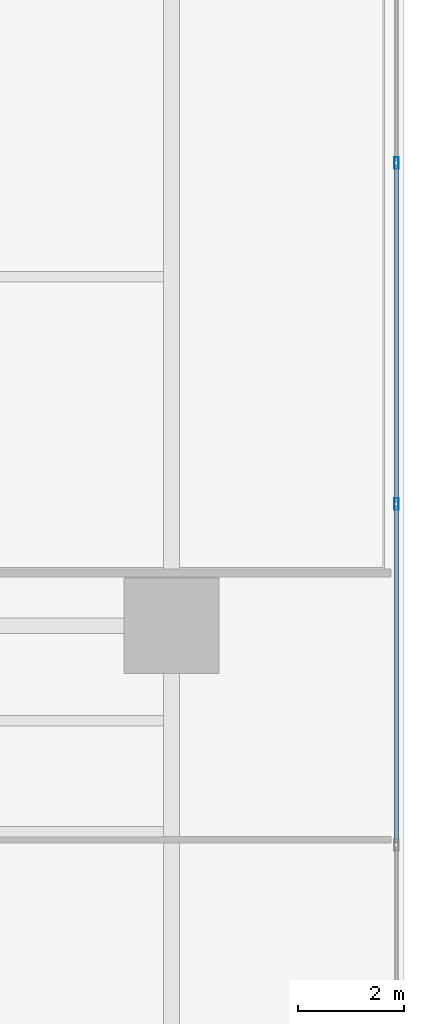
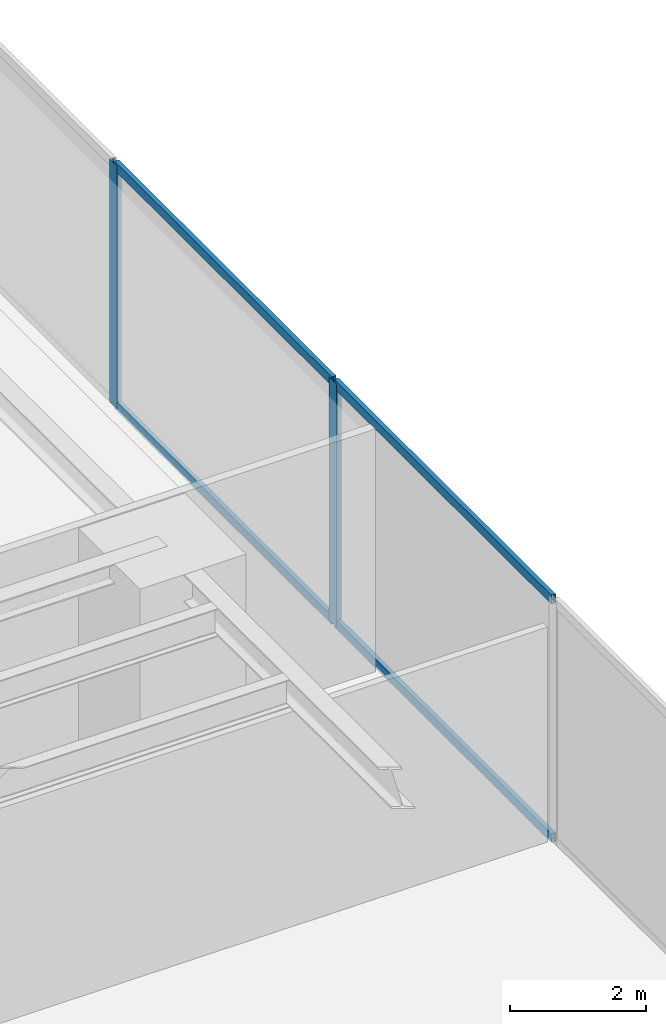
# One storey, part 9 of 18: 6 members, 1 element without a shape of its own.
"""IFC4 building model written with IfcOpenShell, lengths in metres."""

from ifc_helpers import new_model, si_unit, direction, frame, origin, origin_with_axes, origin_2d, place, context, subcontext, project, spatial, hollow_rectangle, extrude, source, transform, mapped, material, layer, layer_set, material_profile, profile_set, type_object, element, aggregate, save


model = new_model("IFC4")

# Units and contexts
model_context = context("Model", 3, precision=1e-05, world=origin(), true_north=direction((0.0, 1.0)))
body_context = subcontext(model_context, "Body", "Model", "MODEL_VIEW")
ifc_project = project(units=[si_unit("LENGTHUNIT", "METRE"), si_unit("AREAUNIT", "SQUARE_METRE"), si_unit("VOLUMEUNIT", "CUBIC_METRE"), si_unit("PLANEANGLEUNIT", "RADIAN"), si_unit("MASSUNIT", "GRAM", prefix="KILO")], contexts=[model_context])

# Site, building, storey
site_placement = place(None, origin())
site = spatial("IfcSite", under=ifc_project, at=site_placement, CompositionType="ELEMENT")
building_placement = place(site_placement, origin())
building = spatial("IfcBuilding", under=site, at=building_placement, Name="Kolvaren Waterfront Exchange", CompositionType="ELEMENT")
storey_placement = place(building_placement, frame((0.0, 0.0, 24.800048828125)))
storey = spatial("IfcBuildingStorey", under=building, at=storey_placement, Name="L06", CompositionType="ELEMENT", Elevation=24.800048828125)

# Curtain wall, members
ifc_material_1 = material(Name="Anodised bronze aluminium 6063-T6", Category="aluminium")
ifc_layer = layer(ifc_material_1, 0.219970703125, Name="Anodised bronze aluminium 6063-T6")
ifc_layer_set = layer_set([ifc_layer], Name="Anodised bronze aluminium 6063-T6")
curtain_wall_type = type_object("IfcCurtainWallType", Name="ARC-CW-SYS4", PredefinedType="USERDEFINED", material=ifc_layer_set)
curtain_wall_placement = place(storey_placement, origin())
curtain_wall = element("IfcCurtainWall", 1, at=curtain_wall_placement, inside=storey, type_object=curtain_wall_type, Name="L06 stick curtain wall CW4 (CW-L06-E1)", ObjectType="STICK CURTAIN WALL", PredefinedType="USERDEFINED")
ifc_material_2 = material(Name="Anodised aluminium 6063-T6", Category="aluminium")
ifc_material_profile_1 = material_profile(ifc_material_2, hollow_rectangle(XDim=0.074951171875, YDim=0.159912109375, WallThickness=0.00439453125, at=origin_2d()), Name="ALU-TRN-160x75x4.5")
ifc_profile_set_1 = profile_set([ifc_material_profile_1], Name="Anodised aluminium 6063-T6")
member_type_1 = type_object("IfcMemberType", Name="ARC-CWT-160", PredefinedType="USERDEFINED", material=ifc_profile_set_1)
shared_shape_1 = source(origin_with_axes(), body_context, "Body", "SweptSolid", [
    extrude(hollow_rectangle(XDim=0.074951171875, YDim=0.159912109375, WallThickness=0.00439453125, at=origin_2d()), origin(), (0.0, 0.0, 1.0), 6.371826171875),
])
member_1_placement = place(storey_placement, frame((64.659912109375, 13.293212890625, 0.037353515625), z_axis=(0.0, 1.0, 0.0), x_axis=(-1.0, 0.0, 0.0)))
member_1 = element("IfcMember", 2, at=member_1_placement, type_object=member_type_1, Name="CW4 transom 3.1", ObjectType="TRANSOM", PredefinedType="USERDEFINED", context=body_context, shape_type="MappedRepresentation", body=[
    mapped(shared_shape_1, transform((0.0, 0.0, 0.0), x_axis=(1.0, 0.0, 0.0), y_axis=(0.0, 1.0, 0.0), z_axis=(0.0, 0.0, 1.0), scale=1.0)),
])
member_2_placement = place(storey_placement, frame((64.659912109375, 13.293212890625, 4.3125), z_axis=(0.0, 1.0, 0.0), x_axis=(-1.0, 0.0, 0.0)))
member_2 = element("IfcMember", 3, at=member_2_placement, type_object=member_type_1, Name="CW4 transom 3.2", ObjectType="TRANSOM", PredefinedType="USERDEFINED", context=body_context, shape_type="MappedRepresentation", body=[
    mapped(shared_shape_1, transform((0.0, 0.0, 0.0), x_axis=(1.0, 0.0, 0.0), y_axis=(0.0, 1.0, 0.0), z_axis=(0.0, 0.0, 1.0), scale=1.0)),
])
shared_shape_2 = source(origin_with_axes(), body_context, "Body", "SweptSolid", [
    extrude(hollow_rectangle(XDim=0.074951171875, YDim=0.159912109375, WallThickness=0.00439453125, at=origin_2d()), origin(), (0.0, 0.0, 1.0), 6.37158203125),
])
member_3_placement = place(storey_placement, frame((64.659912109375, 19.7451171875, 0.037353515625), z_axis=(0.0, 1.0, 0.0), x_axis=(-1.0, 0.0, 0.0)))
member_3 = element("IfcMember", 4, at=member_3_placement, type_object=member_type_1, Name="CW4 transom 4.1", ObjectType="TRANSOM", PredefinedType="USERDEFINED", context=body_context, shape_type="MappedRepresentation", body=[
    mapped(shared_shape_2, transform((0.0, 0.0, 0.0), x_axis=(1.0, 0.0, 0.0), y_axis=(0.0, 1.0, 0.0), z_axis=(0.0, 0.0, 1.0), scale=1.0)),
])
member_4_placement = place(storey_placement, frame((64.659912109375, 19.7451171875, 4.3125), z_axis=(0.0, 1.0, 0.0), x_axis=(-1.0, 0.0, 0.0)))
member_4 = element("IfcMember", 5, at=member_4_placement, type_object=member_type_1, Name="CW4 transom 4.2", ObjectType="TRANSOM", PredefinedType="USERDEFINED", context=body_context, shape_type="MappedRepresentation", body=[
    mapped(shared_shape_2, transform((0.0, 0.0, 0.0), x_axis=(1.0, 0.0, 0.0), y_axis=(0.0, 1.0, 0.0), z_axis=(0.0, 0.0, 1.0), scale=1.0)),
])
ifc_material_profile_2 = material_profile(ifc_material_2, hollow_rectangle(XDim=0.080078125, YDim=0.219970703125, WallThickness=0.0048828125, at=origin_2d()), Name="ALU-MUL-220x80x5")
ifc_profile_set_2 = profile_set([ifc_material_profile_2], Name="Anodised aluminium 6063-T6")
member_type_2 = type_object("IfcMemberType", Name="ARC-CWM-220", PredefinedType="MULLION", material=ifc_profile_set_2)
shared_shape_3 = source(origin_with_axes(), body_context, "Body", "SweptSolid", [
    extrude(hollow_rectangle(XDim=0.080078125, YDim=0.219970703125, WallThickness=0.0048828125, at=origin_2d()), origin(), (0.0, 0.0, 1.0), 4.349853515625),
])
member_5_placement = place(storey_placement, frame((64.659912109375, 19.705078125, 0.0), z_axis=(0.0, 0.0, 1.0), x_axis=(-1.0, 0.0, 0.0)))
member_5 = element("IfcMember", 6, at=member_5_placement, type_object=member_type_2, Name="CW4 mullion 4", PredefinedType="MULLION", context=body_context, shape_type="MappedRepresentation", body=[
    mapped(shared_shape_3, transform((0.0, 0.0, 0.0), x_axis=(1.0, 0.0, 0.0), y_axis=(0.0, 1.0, 0.0), z_axis=(0.0, 0.0, 1.0), scale=1.0)),
])
member_6_placement = place(storey_placement, frame((64.659912109375, 26.15673828125, 0.0), z_axis=(0.0, 0.0, 1.0), x_axis=(-1.0, 0.0, 0.0)))
member_6 = element("IfcMember", 7, at=member_6_placement, type_object=member_type_2, Name="CW4 mullion 5", PredefinedType="MULLION", context=body_context, shape_type="MappedRepresentation", body=[
    mapped(shared_shape_3, transform((0.0, 0.0, 0.0), x_axis=(1.0, 0.0, 0.0), y_axis=(0.0, 1.0, 0.0), z_axis=(0.0, 0.0, 1.0), scale=1.0)),
])
aggregate(curtain_wall, [member_5, member_6, member_1, member_2, member_3, member_4])

save(model, "model.ifc")
